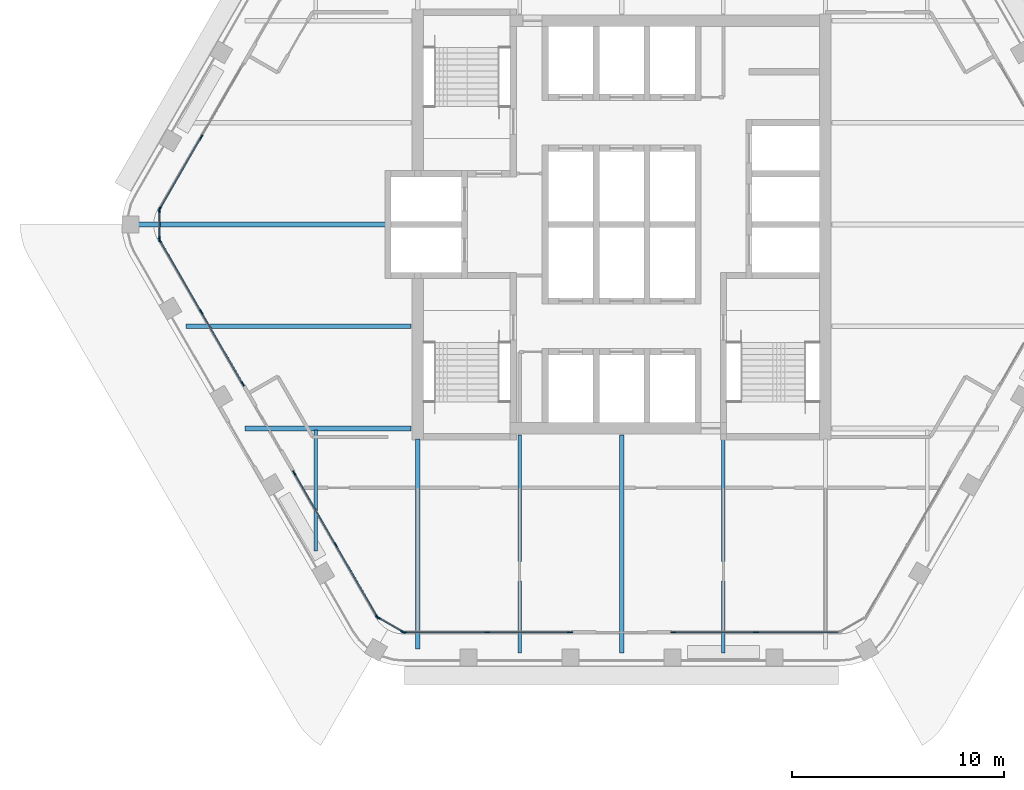
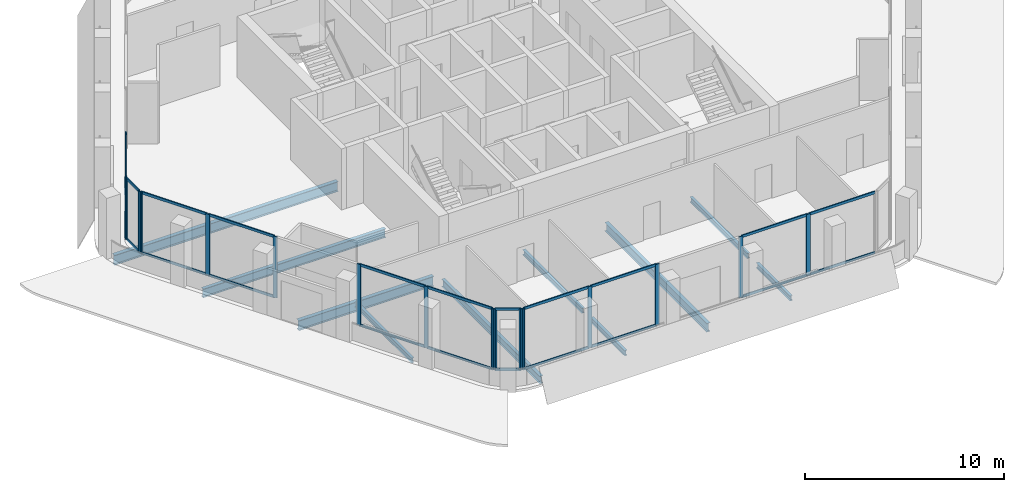
# One storey, part 2 of 14: 39 members, 10 beams, 7 elements without a shape of their own.
"""IFC4 building model written with IfcOpenShell, lengths in metres."""

from ifc_helpers import new_model, si_unit, direction, frame, origin, origin_2d, place, context, subcontext, project, spatial, rectangle, i_section, extrude, material, material_profile, profile_set, type_object, element, aggregate, save


model = new_model("IFC4")

# Units and contexts
model_context = context("Model", 3, precision=1e-05, world=origin(), true_north=direction((0.0, 1.0)))
body_context = subcontext(model_context, "Body", "Model", "MODEL_VIEW")
ifc_project = project(units=[si_unit("LENGTHUNIT", "METRE"), si_unit("AREAUNIT", "SQUARE_METRE"), si_unit("VOLUMEUNIT", "CUBIC_METRE"), si_unit("PLANEANGLEUNIT", "RADIAN"), si_unit("MASSUNIT", "GRAM", prefix="KILO")], contexts=[model_context])

# Site, building, storey
site_placement = place(None, origin())
site = spatial("IfcSite", under=ifc_project, at=site_placement, CompositionType="ELEMENT")
building_placement = place(site_placement, origin())
building = spatial("IfcBuilding", under=site, at=building_placement, Name="Kolab Exchange Tower", CompositionType="ELEMENT")
storey_placement = place(building_placement, frame((0.0, 0.0, 222.800048828125)))
storey = spatial("IfcBuildingStorey", under=building, at=storey_placement, Name="L48", CompositionType="ELEMENT", Elevation=222.800048828125)

# Beams
ifc_material_1 = material(Name="Steel S355", Category="steel")
ifc_material_profile_1 = material_profile(ifc_material_1, i_section(OverallWidth=0.1650390625, OverallDepth=0.31005859375, WebThickness=0.005859375, FlangeThickness=0.009765625, at=origin_2d()), Name="W310X39")
ifc_profile_set_1 = profile_set([ifc_material_profile_1], Name="Steel S355")
beam_type_1 = type_object("IfcBeamType", Name="FLOOR BEAM W310X39", PredefinedType="BEAM", material=ifc_profile_set_1)
beam_1_placement = place(storey_placement, frame((-14.39990234375, -15.36767578125, -0.304931640625), z_axis=(0.0, 1.0, 0.0), x_axis=(-1.0, 0.0, 0.0)))
element("IfcBeam", 1, at=beam_1_placement, inside=storey, type_object=beam_type_1, Name="beam/L48/fr/003", PredefinedType="BEAM", context=body_context, shape_type="SweptSolid", body=[
    extrude(i_section(OverallWidth=0.1650390625, OverallDepth=0.31005859375, WebThickness=0.005859375, FlangeThickness=0.009765625, at=origin_2d()), origin(), (0.0, 0.0, 1.0), 5.693603515625),
])
beam_2_placement = place(storey_placement, frame((-4.800048828125, -20.174560546875, -0.304931640625), z_axis=(0.0, 1.0, 0.0), x_axis=(-1.0, 0.0, 0.0)))
element("IfcBeam", 2, at=beam_2_placement, inside=storey, type_object=beam_type_1, Name="beam/L48/fr/007", PredefinedType="BEAM", context=body_context, shape_type="SweptSolid", body=[
    extrude(i_section(OverallWidth=0.1650390625, OverallDepth=0.31005859375, WebThickness=0.005859375, FlangeThickness=0.009765625, at=origin_2d()), origin(), (0.0, 0.0, 1.0), 3.395751953125),
])
beam_3_placement = place(storey_placement, frame((-4.800048828125, -15.876708984375, -0.304931640625), z_axis=(0.0, 1.0, 0.0), x_axis=(-1.0, 0.0, 0.0)))
element("IfcBeam", 3, at=beam_3_placement, inside=storey, type_object=beam_type_1, Name="beam/L48/fr/008", PredefinedType="BEAM", context=body_context, shape_type="SweptSolid", body=[
    extrude(i_section(OverallWidth=0.1650390625, OverallDepth=0.31005859375, WebThickness=0.005859375, FlangeThickness=0.009765625, at=origin_2d()), origin(), (0.0, 0.0, 1.0), 5.966796875),
])
beam_4_placement = place(storey_placement, frame((4.800048828125, -20.174560546875, -0.304931640625), z_axis=(0.0, 1.0, 0.0), x_axis=(-1.0, 0.0, 0.0)))
element("IfcBeam", 4, at=beam_4_placement, inside=storey, type_object=beam_type_1, Name="beam/L48/fr/013", PredefinedType="BEAM", context=body_context, shape_type="SweptSolid", body=[
    extrude(i_section(OverallWidth=0.1650390625, OverallDepth=0.31005859375, WebThickness=0.005859375, FlangeThickness=0.009765625, at=origin_2d()), origin(), (0.0, 0.0, 1.0), 3.395751953125),
])
beam_5_placement = place(storey_placement, frame((4.800048828125, -15.876708984375, -0.304931640625), z_axis=(0.0, 1.0, 0.0), x_axis=(-1.0, 0.0, 0.0)))
element("IfcBeam", 5, at=beam_5_placement, inside=storey, type_object=beam_type_1, Name="beam/L48/fr/014", PredefinedType="BEAM", context=body_context, shape_type="SweptSolid", body=[
    extrude(i_section(OverallWidth=0.1650390625, OverallDepth=0.31005859375, WebThickness=0.005859375, FlangeThickness=0.009765625, at=origin_2d()), origin(), (0.0, 0.0, 1.0), 5.7666015625),
])
ifc_material_profile_2 = material_profile(ifc_material_1, i_section(OverallWidth=0.18994140625, OverallDepth=0.45703125, WebThickness=0.009033203125, FlangeThickness=0.014404296875, at=origin_2d()), Name="W460X74")
ifc_profile_set_2 = profile_set([ifc_material_profile_2], Name="Steel S355")
beam_type_2 = type_object("IfcBeamType", Name="FLOOR BEAM W460X74", PredefinedType="BEAM", material=ifc_profile_set_2)
beam_6_placement = place(storey_placement, frame((-9.60009765625, -19.982421875, -0.378662109375), z_axis=(0.0, 1.0, 0.0), x_axis=(-1.0, 0.0, 0.0)))
element("IfcBeam", 6, at=beam_6_placement, inside=storey, type_object=beam_type_2, Name="beam/L48/fr/005", PredefinedType="BEAM", context=body_context, shape_type="SweptSolid", body=[
    extrude(i_section(OverallWidth=0.18994140625, OverallDepth=0.45703125, WebThickness=0.009033203125, FlangeThickness=0.014404296875, at=origin_2d()), origin(), (0.0, 0.0, 1.0), 9.872314453125),
])
ifc_material_profile_3 = material_profile(ifc_material_1, i_section(OverallWidth=0.208984375, OverallDepth=0.532958984375, WebThickness=0.01025390625, FlangeThickness=0.015625, at=origin_2d()), Name="W530X92")
ifc_profile_set_3 = profile_set([ifc_material_profile_3], Name="Steel S355")
beam_type_3 = type_object("IfcBeamType", Name="FLOOR BEAM W530X92", PredefinedType="BEAM", material=ifc_profile_set_3)
beam_7_placement = place(storey_placement, frame((-20.518310546875, -4.800048828125, -0.41650390625), z_axis=(1.0, 0.0, 0.0), x_axis=(0.0, 1.0, 0.0)))
element("IfcBeam", 7, at=beam_7_placement, inside=storey, type_object=beam_type_3, Name="beam/L48/fr/001", PredefinedType="BEAM", context=body_context, shape_type="SweptSolid", body=[
    extrude(i_section(OverallWidth=0.208984375, OverallDepth=0.532958984375, WebThickness=0.01025390625, FlangeThickness=0.015625, at=origin_2d()), origin(), (0.0, 0.0, 1.0), 10.6083984375),
])
beam_8_placement = place(storey_placement, frame((0.0, -20.174560546875, -0.41650390625), z_axis=(0.0, 1.0, 0.0), x_axis=(-1.0, 0.0, 0.0)))
element("IfcBeam", 8, at=beam_8_placement, inside=storey, type_object=beam_type_3, Name="beam/L48/fr/011", PredefinedType="BEAM", context=body_context, shape_type="SweptSolid", body=[
    extrude(i_section(OverallWidth=0.208984375, OverallDepth=0.532958984375, WebThickness=0.01025390625, FlangeThickness=0.015625, at=origin_2d()), origin(), (0.0, 0.0, 1.0), 10.2646484375),
])
ifc_material_profile_4 = material_profile(ifc_material_1, i_section(OverallWidth=0.22802734375, OverallDepth=0.60791015625, WebThickness=0.01123046875, FlangeThickness=0.017333984375, at=origin_2d()), Name="W610X113")
ifc_profile_set_4 = profile_set([ifc_material_profile_4], Name="Steel S355")
beam_type_4 = type_object("IfcBeamType", Name="FLOOR BEAM W610X113", PredefinedType="BEAM", material=ifc_profile_set_4)
beam_9_placement = place(storey_placement, frame((-22.899169921875, 0.0, -0.4541015625), z_axis=(1.0, 0.0, 0.0), x_axis=(0.0, 1.0, 0.0)))
element("IfcBeam", 9, at=beam_9_placement, inside=storey, type_object=beam_type_4, Name="beam/L48/fr/000", PredefinedType="BEAM", context=body_context, shape_type="SweptSolid", body=[
    extrude(i_section(OverallWidth=0.22802734375, OverallDepth=0.60791015625, WebThickness=0.01123046875, FlangeThickness=0.017333984375, at=origin_2d()), origin(), (0.0, 0.0, 1.0), 12.9892578125),
])
ifc_material_profile_5 = material_profile(ifc_material_1, i_section(OverallWidth=0.22802734375, OverallDepth=0.60791015625, WebThickness=0.01123046875, FlangeThickness=0.017333984375, at=origin_2d()), Name="W610X113")
ifc_profile_set_5 = profile_set([ifc_material_profile_5], Name="Steel S355")
beam_type_5 = type_object("IfcBeamType", Name="FLOOR GIRDER W610X113", PredefinedType="BEAM", material=ifc_profile_set_5)
beam_10_placement = place(storey_placement, frame((-17.746826171875, -9.60009765625, -0.4541015625), z_axis=(1.0, 0.0, 0.0), x_axis=(0.0, 1.0, 0.0)))
element("IfcBeam", 10, at=beam_10_placement, inside=storey, type_object=beam_type_5, Name="beam/L48/gd/000", PredefinedType="BEAM", context=body_context, shape_type="SweptSolid", body=[
    extrude(i_section(OverallWidth=0.22802734375, OverallDepth=0.60791015625, WebThickness=0.01123046875, FlangeThickness=0.017333984375, at=origin_2d()), origin(), (0.0, 0.0, 1.0), 7.8369140625),
])

# Curtain wall, members
ifc_material_2 = material(Name="Aluminium EN AW-6063 T6", Category="aluminium")
curtain_wall_type = type_object("IfcCurtainWallType", Name="UNITISED HIGH ZONE CURTAIN WALL", PredefinedType="NOTDEFINED", material=ifc_material_2)
curtain_wall_1_placement = place(storey_placement, origin())
curtain_wall_1 = element("IfcCurtainWall", 11, at=curtain_wall_1_placement, inside=storey, type_object=curtain_wall_type, Name="cw/L48/F4-1", PredefinedType="NOTDEFINED")
ifc_material_profile_6 = material_profile(ifc_material_2, rectangle(XDim=0.06005859375, YDim=0.239990234375, at=origin_2d()), Name="RECT 60X240")
ifc_profile_set_6 = profile_set([ifc_material_profile_6], Name="Aluminium EN AW-6063 T6")
member_type_1 = type_object("IfcMemberType", Name="UNITISED HIGH ZONE MULLION 60 X 240", PredefinedType="MULLION", material=ifc_profile_set_6)
member_1_placement = place(storey_placement, frame((6.333984375, -19.20458984375, 0.0), z_axis=(0.0, 0.0, 1.0), x_axis=(0.0, -1.0, 0.0)))
member_1 = element("IfcMember", 12, at=member_1_placement, type_object=member_type_1, Name="CW4 mullion 2", PredefinedType="MULLION", context=body_context, shape_type="SweptSolid", body=[
    extrude(rectangle(XDim=0.06005859375, YDim=0.239990234375, at=origin_2d()), origin(), (0.0, 0.0, 1.0), 3.75),
])
member_2_placement = place(storey_placement, frame((2.429931640625, -19.20458984375, 0.0), z_axis=(0.0, 0.0, 1.0), x_axis=(0.0, -1.0, 0.0)))
member_2 = element("IfcMember", 13, at=member_2_placement, type_object=member_type_1, Name="CW4 mullion 3", PredefinedType="MULLION", context=body_context, shape_type="SweptSolid", body=[
    extrude(rectangle(XDim=0.06005859375, YDim=0.239990234375, at=origin_2d()), origin(), (0.0, 0.0, 1.0), 3.75),
])

curtain_wall_2_placement = place(storey_placement, origin())
curtain_wall_2 = element("IfcCurtainWall", 14, at=curtain_wall_2_placement, inside=storey, type_object=curtain_wall_type, Name="cw/L48/F4-2", PredefinedType="NOTDEFINED")
member_3_placement = place(storey_placement, frame((-2.429931640625, -19.20458984375, 0.0), z_axis=(0.0, 0.0, 1.0), x_axis=(0.0, -1.0, 0.0)))
member_3 = element("IfcMember", 15, at=member_3_placement, type_object=member_type_1, Name="CW4 mullion 1", PredefinedType="MULLION", context=body_context, shape_type="SweptSolid", body=[
    extrude(rectangle(XDim=0.06005859375, YDim=0.239990234375, at=origin_2d()), origin(), (0.0, 0.0, 1.0), 3.75),
])
member_4_placement = place(storey_placement, frame((-6.333984375, -19.20458984375, 0.0), z_axis=(0.0, 0.0, 1.0), x_axis=(0.0, -1.0, 0.0)))
member_4 = element("IfcMember", 16, at=member_4_placement, type_object=member_type_1, Name="CW4 mullion 2", PredefinedType="MULLION", context=body_context, shape_type="SweptSolid", body=[
    extrude(rectangle(XDim=0.06005859375, YDim=0.239990234375, at=origin_2d()), origin(), (0.0, 0.0, 1.0), 3.75),
])
member_5_placement = place(storey_placement, frame((-10.238037109375, -19.20458984375, 0.0), z_axis=(0.0, 0.0, 1.0), x_axis=(0.0, -1.0, 0.0)))
member_5 = element("IfcMember", 17, at=member_5_placement, type_object=member_type_1, Name="CW4 mullion 3", PredefinedType="MULLION", context=body_context, shape_type="SweptSolid", body=[
    extrude(rectangle(XDim=0.06005859375, YDim=0.239990234375, at=origin_2d()), origin(), (0.0, 0.0, 1.0), 3.75),
])

curtain_wall_3_placement = place(storey_placement, origin())
curtain_wall_3 = element("IfcCurtainWall", 18, at=curtain_wall_3_placement, inside=storey, type_object=curtain_wall_type, Name="cw/L48/F5-1", PredefinedType="NOTDEFINED")
member_6_placement = place(storey_placement, frame((-11.5126953125, -18.46875, 0.0), z_axis=(0.0, 0.0, 1.0), x_axis=(-0.866025385493, -0.500000031681, 0.0)))
member_6 = element("IfcMember", 19, at=member_6_placement, type_object=member_type_1, Name="CW4 mullion 1", PredefinedType="MULLION", context=body_context, shape_type="SweptSolid", body=[
    extrude(rectangle(XDim=0.06005859375, YDim=0.239990234375, at=origin_2d()), origin(), (0.0, 0.0, 1.0), 3.75),
])
member_7_placement = place(storey_placement, frame((-13.464599609375, -15.087646484375, 0.0), z_axis=(0.0, 0.0, 1.0), x_axis=(-0.866025385493, -0.500000031681, 0.0)))
member_7 = element("IfcMember", 20, at=member_7_placement, type_object=member_type_1, Name="CW4 mullion 2", PredefinedType="MULLION", context=body_context, shape_type="SweptSolid", body=[
    extrude(rectangle(XDim=0.06005859375, YDim=0.239990234375, at=origin_2d()), origin(), (0.0, 0.0, 1.0), 3.75),
])
member_8_placement = place(storey_placement, frame((-15.416748046875, -11.706787109375, 0.0), z_axis=(0.0, 0.0, 1.0), x_axis=(-0.866025385493, -0.500000031681, 0.0)))
member_8 = element("IfcMember", 21, at=member_8_placement, type_object=member_type_1, Name="CW4 mullion 3", PredefinedType="MULLION", context=body_context, shape_type="SweptSolid", body=[
    extrude(rectangle(XDim=0.06005859375, YDim=0.239990234375, at=origin_2d()), origin(), (0.0, 0.0, 1.0), 3.75),
])

curtain_wall_4_placement = place(storey_placement, origin())
curtain_wall_4 = element("IfcCurtainWall", 22, at=curtain_wall_4_placement, inside=storey, type_object=curtain_wall_type, Name="cw/L48/F5-2", PredefinedType="NOTDEFINED")
member_9_placement = place(storey_placement, frame((-17.8466796875, -7.497802734375, 0.0), z_axis=(0.0, 0.0, 1.0), x_axis=(-0.866025440524, -0.499999936366, 0.0)))
member_9 = element("IfcMember", 23, at=member_9_placement, type_object=member_type_1, Name="CW4 mullion 1", PredefinedType="MULLION", context=body_context, shape_type="SweptSolid", body=[
    extrude(rectangle(XDim=0.06005859375, YDim=0.239990234375, at=origin_2d()), origin(), (0.0, 0.0, 1.0), 3.75),
])
member_10_placement = place(storey_placement, frame((-19.798583984375, -4.116943359375, 0.0), z_axis=(0.0, 0.0, 1.0), x_axis=(-0.866025440524, -0.499999936366, 0.0)))
member_10 = element("IfcMember", 24, at=member_10_placement, type_object=member_type_1, Name="CW4 mullion 2", PredefinedType="MULLION", context=body_context, shape_type="SweptSolid", body=[
    extrude(rectangle(XDim=0.06005859375, YDim=0.239990234375, at=origin_2d()), origin(), (0.0, 0.0, 1.0), 3.75),
])
member_11_placement = place(storey_placement, frame((-21.750732421875, -0.736083984375, 0.0), z_axis=(0.0, 0.0, 1.0), x_axis=(-0.866025440524, -0.499999936366, 0.0)))
member_11 = element("IfcMember", 25, at=member_11_placement, type_object=member_type_1, Name="CW4 mullion 3", PredefinedType="MULLION", context=body_context, shape_type="SweptSolid", body=[
    extrude(rectangle(XDim=0.06005859375, YDim=0.239990234375, at=origin_2d()), origin(), (0.0, 0.0, 1.0), 3.75),
])

curtain_wall_5_placement = place(storey_placement, origin())
curtain_wall_5 = element("IfcCurtainWall", 26, at=curtain_wall_5_placement, inside=storey, type_object=curtain_wall_type, Name="cw/L48/F6-1", PredefinedType="NOTDEFINED")
member_12_placement = place(storey_placement, frame((-21.750732421875, 0.736083984375, 0.0), z_axis=(0.0, 0.0, 1.0), x_axis=(-0.866025440524, 0.499999936366, 0.0)))
member_12 = element("IfcMember", 27, at=member_12_placement, type_object=member_type_1, Name="CW4 mullion 1", PredefinedType="MULLION", context=body_context, shape_type="SweptSolid", body=[
    extrude(rectangle(XDim=0.06005859375, YDim=0.239990234375, at=origin_2d()), origin(), (0.0, 0.0, 1.0), 3.75),
])
member_13_placement = place(storey_placement, frame((-19.798583984375, 4.116943359375, 0.0), z_axis=(0.0, 0.0, 1.0), x_axis=(-0.866025440524, 0.499999936366, 0.0)))
member_13 = element("IfcMember", 28, at=member_13_placement, type_object=member_type_1, Name="CW4 mullion 2", PredefinedType="MULLION", context=body_context, shape_type="SweptSolid", body=[
    extrude(rectangle(XDim=0.06005859375, YDim=0.239990234375, at=origin_2d()), origin(), (0.0, 0.0, 1.0), 3.75),
])

curtain_wall_6_placement = place(storey_placement, origin())
curtain_wall_6 = element("IfcCurtainWall", 29, at=curtain_wall_6_placement, inside=storey, type_object=curtain_wall_type, Name="cw/L48/F4F5-corner", PredefinedType="NOTDEFINED")
member_14_placement = place(storey_placement, frame((-10.2939453125, -19.189697265625, 0.0), z_axis=(0.0, 0.0, 1.0), x_axis=(-0.50000002237, -0.866025390869, 0.0)))
member_14 = element("IfcMember", 30, at=member_14_placement, type_object=member_type_1, Name="CW4 mullion 1", PredefinedType="MULLION", context=body_context, shape_type="SweptSolid", body=[
    extrude(rectangle(XDim=0.06005859375, YDim=0.239990234375, at=origin_2d()), origin(), (0.0, 0.0, 1.0), 3.75),
])
member_15_placement = place(storey_placement, frame((-11.4716796875, -18.509521484375, 0.0), z_axis=(0.0, 0.0, 1.0), x_axis=(-0.50000002237, -0.866025390869, 0.0)))
member_15 = element("IfcMember", 31, at=member_15_placement, type_object=member_type_1, Name="CW4 mullion 2", PredefinedType="MULLION", context=body_context, shape_type="SweptSolid", body=[
    extrude(rectangle(XDim=0.06005859375, YDim=0.239990234375, at=origin_2d()), origin(), (0.0, 0.0, 1.0), 3.75),
])

curtain_wall_7_placement = place(storey_placement, origin())
curtain_wall_7 = element("IfcCurtainWall", 32, at=curtain_wall_7_placement, inside=storey, type_object=curtain_wall_type, Name="cw/L48/F5F6-corner", PredefinedType="NOTDEFINED")
member_16_placement = place(storey_placement, frame((-21.765625, -0.679931640625, 0.0), z_axis=(0.0, 0.0, 1.0), x_axis=(-1.0, 0.0, 0.0)))
member_16 = element("IfcMember", 33, at=member_16_placement, type_object=member_type_1, Name="CW4 mullion 1", PredefinedType="MULLION", context=body_context, shape_type="SweptSolid", body=[
    extrude(rectangle(XDim=0.06005859375, YDim=0.239990234375, at=origin_2d()), origin(), (0.0, 0.0, 1.0), 3.75),
])
member_17_placement = place(storey_placement, frame((-21.765625, 0.679931640625, 0.0), z_axis=(0.0, 0.0, 1.0), x_axis=(-1.0, 0.0, 0.0)))
member_17 = element("IfcMember", 34, at=member_17_placement, type_object=member_type_1, Name="CW4 mullion 2", PredefinedType="MULLION", context=body_context, shape_type="SweptSolid", body=[
    extrude(rectangle(XDim=0.06005859375, YDim=0.239990234375, at=origin_2d()), origin(), (0.0, 0.0, 1.0), 3.75),
])

# Member
ifc_material_profile_7 = material_profile(ifc_material_2, rectangle(XDim=0.06005859375, YDim=0.159912109375, at=origin_2d()), Name="RECT 60X160")
ifc_profile_set_7 = profile_set([ifc_material_profile_7], Name="Aluminium EN AW-6063 T6")
member_type_2 = type_object("IfcMemberType", Name="UNITISED HIGH ZONE TRANSOM 60 X 160", PredefinedType="USERDEFINED", material=ifc_profile_set_7)
member_18_placement = place(storey_placement, frame((10.2080078125, -19.20458984375, 0.030029296875), z_axis=(-1.0, 0.0, 0.0), x_axis=(0.0, -1.0, 0.0)))
member_18 = element("IfcMember", 35, at=member_18_placement, type_object=member_type_2, Name="CW4 transom 1.1", ObjectType="TRANSOM", PredefinedType="USERDEFINED", context=body_context, shape_type="SweptSolid", body=[
    extrude(rectangle(XDim=0.06005859375, YDim=0.159912109375, at=origin_2d()), origin(), (0.0, 0.0, 1.0), 3.843994140625),
])

member_19_placement = place(storey_placement, frame((10.2080078125, -19.20458984375, 3.719970703125), z_axis=(-1.0, 0.0, 0.0), x_axis=(0.0, -1.0, 0.0)))
member_19 = element("IfcMember", 36, at=member_19_placement, type_object=member_type_2, Name="CW4 transom 1.2", ObjectType="TRANSOM", PredefinedType="USERDEFINED", context=body_context, shape_type="SweptSolid", body=[
    extrude(rectangle(XDim=0.06005859375, YDim=0.159912109375, at=origin_2d()), origin(), (0.0, 0.0, 1.0), 3.843994140625),
])

member_20_placement = place(storey_placement, frame((6.303955078125, -19.20458984375, 0.030029296875), z_axis=(-1.0, 0.0, 0.0), x_axis=(0.0, -1.0, 0.0)))
member_20 = element("IfcMember", 37, at=member_20_placement, type_object=member_type_2, Name="CW4 transom 2.1", ObjectType="TRANSOM", PredefinedType="USERDEFINED", context=body_context, shape_type="SweptSolid", body=[
    extrude(rectangle(XDim=0.06005859375, YDim=0.159912109375, at=origin_2d()), origin(), (0.0, 0.0, 1.0), 3.843994140625),
])

member_21_placement = place(storey_placement, frame((6.303955078125, -19.20458984375, 3.719970703125), z_axis=(-1.0, 0.0, 0.0), x_axis=(0.0, -1.0, 0.0)))
member_21 = element("IfcMember", 38, at=member_21_placement, type_object=member_type_2, Name="CW4 transom 2.2", ObjectType="TRANSOM", PredefinedType="USERDEFINED", context=body_context, shape_type="SweptSolid", body=[
    extrude(rectangle(XDim=0.06005859375, YDim=0.159912109375, at=origin_2d()), origin(), (0.0, 0.0, 1.0), 3.843994140625),
])

aggregate(curtain_wall_1, [member_1, member_2, member_18, member_19, member_20, member_21])

member_22_placement = place(storey_placement, frame((-2.4599609375, -19.20458984375, 0.030029296875), z_axis=(-1.0, 0.0, 0.0), x_axis=(0.0, -1.0, 0.0)))
member_22 = element("IfcMember", 39, at=member_22_placement, type_object=member_type_2, Name="CW4 transom 1.1", ObjectType="TRANSOM", PredefinedType="USERDEFINED", context=body_context, shape_type="SweptSolid", body=[
    extrude(rectangle(XDim=0.06005859375, YDim=0.159912109375, at=origin_2d()), origin(), (0.0, 0.0, 1.0), 3.843994140625),
])

member_23_placement = place(storey_placement, frame((-2.4599609375, -19.20458984375, 3.719970703125), z_axis=(-1.0, 0.0, 0.0), x_axis=(0.0, -1.0, 0.0)))
member_23 = element("IfcMember", 40, at=member_23_placement, type_object=member_type_2, Name="CW4 transom 1.2", ObjectType="TRANSOM", PredefinedType="USERDEFINED", context=body_context, shape_type="SweptSolid", body=[
    extrude(rectangle(XDim=0.06005859375, YDim=0.159912109375, at=origin_2d()), origin(), (0.0, 0.0, 1.0), 3.843994140625),
])

member_24_placement = place(storey_placement, frame((-6.364013671875, -19.20458984375, 0.030029296875), z_axis=(-1.0, 0.0, 0.0), x_axis=(0.0, -1.0, 0.0)))
member_24 = element("IfcMember", 41, at=member_24_placement, type_object=member_type_2, Name="CW4 transom 2.1", ObjectType="TRANSOM", PredefinedType="USERDEFINED", context=body_context, shape_type="SweptSolid", body=[
    extrude(rectangle(XDim=0.06005859375, YDim=0.159912109375, at=origin_2d()), origin(), (0.0, 0.0, 1.0), 3.843994140625),
])

member_25_placement = place(storey_placement, frame((-6.364013671875, -19.20458984375, 3.719970703125), z_axis=(-1.0, 0.0, 0.0), x_axis=(0.0, -1.0, 0.0)))
member_25 = element("IfcMember", 42, at=member_25_placement, type_object=member_type_2, Name="CW4 transom 2.2", ObjectType="TRANSOM", PredefinedType="USERDEFINED", context=body_context, shape_type="SweptSolid", body=[
    extrude(rectangle(XDim=0.06005859375, YDim=0.159912109375, at=origin_2d()), origin(), (0.0, 0.0, 1.0), 3.843994140625),
])

aggregate(curtain_wall_2, [member_3, member_4, member_5, member_22, member_23, member_24, member_25])

member_26_placement = place(storey_placement, frame((-11.527587890625, -18.442626953125, 0.030029296875), z_axis=(-0.500039492609, 0.866002601515, 0.0), x_axis=(-0.866002601515, -0.500039492609, 0.0)))
member_26 = element("IfcMember", 43, at=member_26_placement, type_object=member_type_2, Name="CW4 transom 1.1", ObjectType="TRANSOM", PredefinedType="USERDEFINED", context=body_context, shape_type="SweptSolid", body=[
    extrude(rectangle(XDim=0.06005859375, YDim=0.159912109375, at=origin_2d()), origin(), (0.0, 0.0, 1.0), 3.843994140625),
])

member_27_placement = place(storey_placement, frame((-11.527587890625, -18.442626953125, 3.719970703125), z_axis=(-0.500039492609, 0.866002601515, 0.0), x_axis=(-0.866002601515, -0.500039492609, 0.0)))
member_27 = element("IfcMember", 44, at=member_27_placement, type_object=member_type_2, Name="CW4 transom 1.2", ObjectType="TRANSOM", PredefinedType="USERDEFINED", context=body_context, shape_type="SweptSolid", body=[
    extrude(rectangle(XDim=0.06005859375, YDim=0.159912109375, at=origin_2d()), origin(), (0.0, 0.0, 1.0), 3.843994140625),
])

member_28_placement = place(storey_placement, frame((-13.479736328125, -15.061767578125, 0.030029296875), z_axis=(-0.499964356602, 0.866045981532, 0.0), x_axis=(-0.866045981532, -0.499964356602, 0.0)))
member_28 = element("IfcMember", 45, at=member_28_placement, type_object=member_type_2, Name="CW4 transom 2.1", ObjectType="TRANSOM", PredefinedType="USERDEFINED", context=body_context, shape_type="SweptSolid", body=[
    extrude(rectangle(XDim=0.06005859375, YDim=0.159912109375, at=origin_2d()), origin(), (0.0, 0.0, 1.0), 3.843994140625),
])

member_29_placement = place(storey_placement, frame((-13.479736328125, -15.061767578125, 3.719970703125), z_axis=(-0.499964356602, 0.866045981532, 0.0), x_axis=(-0.866045981532, -0.499964356602, 0.0)))
member_29 = element("IfcMember", 46, at=member_29_placement, type_object=member_type_2, Name="CW4 transom 2.2", ObjectType="TRANSOM", PredefinedType="USERDEFINED", context=body_context, shape_type="SweptSolid", body=[
    extrude(rectangle(XDim=0.06005859375, YDim=0.159912109375, at=origin_2d()), origin(), (0.0, 0.0, 1.0), 3.843994140625),
])

aggregate(curtain_wall_3, [member_6, member_7, member_8, member_26, member_27, member_28, member_29])

member_30_placement = place(storey_placement, frame((-17.861572265625, -7.471923828125, 0.030029296875), z_axis=(-0.500011990396, 0.866018481016, 0.0), x_axis=(-0.866018481016, -0.500011990396, 0.0)))
member_30 = element("IfcMember", 47, at=member_30_placement, type_object=member_type_2, Name="CW4 transom 1.1", ObjectType="TRANSOM", PredefinedType="USERDEFINED", context=body_context, shape_type="SweptSolid", body=[
    extrude(rectangle(XDim=0.06005859375, YDim=0.159912109375, at=origin_2d()), origin(), (0.0, 0.0, 1.0), 3.84423828125),
])

member_31_placement = place(storey_placement, frame((-17.861572265625, -7.471923828125, 3.719970703125), z_axis=(-0.500011990396, 0.866018481016, 0.0), x_axis=(-0.866018481016, -0.500011990396, 0.0)))
member_31 = element("IfcMember", 48, at=member_31_placement, type_object=member_type_2, Name="CW4 transom 1.2", ObjectType="TRANSOM", PredefinedType="USERDEFINED", context=body_context, shape_type="SweptSolid", body=[
    extrude(rectangle(XDim=0.06005859375, YDim=0.159912109375, at=origin_2d()), origin(), (0.0, 0.0, 1.0), 3.84423828125),
])

member_32_placement = place(storey_placement, frame((-19.813720703125, -4.0908203125, 0.030029296875), z_axis=(-0.499991857942, 0.866030104553, 0.0), x_axis=(-0.866030104553, -0.499991857942, 0.0)))
member_32 = element("IfcMember", 49, at=member_32_placement, type_object=member_type_2, Name="CW4 transom 2.1", ObjectType="TRANSOM", PredefinedType="USERDEFINED", context=body_context, shape_type="SweptSolid", body=[
    extrude(rectangle(XDim=0.06005859375, YDim=0.159912109375, at=origin_2d()), origin(), (0.0, 0.0, 1.0), 3.84375),
])

member_33_placement = place(storey_placement, frame((-19.813720703125, -4.0908203125, 3.719970703125), z_axis=(-0.499991857942, 0.866030104553, 0.0), x_axis=(-0.866030104553, -0.499991857942, 0.0)))
member_33 = element("IfcMember", 50, at=member_33_placement, type_object=member_type_2, Name="CW4 transom 2.2", ObjectType="TRANSOM", PredefinedType="USERDEFINED", context=body_context, shape_type="SweptSolid", body=[
    extrude(rectangle(XDim=0.06005859375, YDim=0.159912109375, at=origin_2d()), origin(), (0.0, 0.0, 1.0), 3.84375),
])

aggregate(curtain_wall_4, [member_9, member_10, member_11, member_30, member_31, member_32, member_33])

member_34_placement = place(storey_placement, frame((-21.735595703125, 0.761962890625, 0.030029296875), z_axis=(0.499991857942, 0.866030104553, 0.0), x_axis=(-0.866030104553, 0.499991857942, 0.0)))
member_34 = element("IfcMember", 51, at=member_34_placement, type_object=member_type_2, Name="CW4 transom 1.1", ObjectType="TRANSOM", PredefinedType="USERDEFINED", context=body_context, shape_type="SweptSolid", body=[
    extrude(rectangle(XDim=0.06005859375, YDim=0.159912109375, at=origin_2d()), origin(), (0.0, 0.0, 1.0), 3.84375),
])

member_35_placement = place(storey_placement, frame((-21.735595703125, 0.761962890625, 3.719970703125), z_axis=(0.499991857942, 0.866030104553, 0.0), x_axis=(-0.866030104553, 0.499991857942, 0.0)))
member_35 = element("IfcMember", 52, at=member_35_placement, type_object=member_type_2, Name="CW4 transom 1.2", ObjectType="TRANSOM", PredefinedType="USERDEFINED", context=body_context, shape_type="SweptSolid", body=[
    extrude(rectangle(XDim=0.06005859375, YDim=0.159912109375, at=origin_2d()), origin(), (0.0, 0.0, 1.0), 3.84375),
])

aggregate(curtain_wall_5, [member_12, member_13, member_34, member_35])

member_36_placement = place(storey_placement, frame((-10.31982421875, -19.174560546875, 0.030029296875), z_axis=(-0.866085525409, 0.49989585183, 0.0), x_axis=(-0.49989585183, -0.866085525409, 0.0)))
member_36 = element("IfcMember", 53, at=member_36_placement, type_object=member_type_2, Name="CW4 transom 1.1", ObjectType="TRANSOM", PredefinedType="USERDEFINED", context=body_context, shape_type="SweptSolid", body=[
    extrude(rectangle(XDim=0.06005859375, YDim=0.159912109375, at=origin_2d()), origin(), (0.0, 0.0, 1.0), 1.300048828125),
])

member_37_placement = place(storey_placement, frame((-10.31982421875, -19.174560546875, 3.719970703125), z_axis=(-0.866085525409, 0.49989585183, 0.0), x_axis=(-0.49989585183, -0.866085525409, 0.0)))
member_37 = element("IfcMember", 54, at=member_37_placement, type_object=member_type_2, Name="CW4 transom 1.2", ObjectType="TRANSOM", PredefinedType="USERDEFINED", context=body_context, shape_type="SweptSolid", body=[
    extrude(rectangle(XDim=0.06005859375, YDim=0.159912109375, at=origin_2d()), origin(), (0.0, 0.0, 1.0), 1.300048828125),
])

aggregate(curtain_wall_6, [member_14, member_15, member_36, member_37])

member_38_placement = place(storey_placement, frame((-21.765625, -0.64990234375, 0.030029296875), z_axis=(0.0, 1.0, 0.0), x_axis=(-1.0, 0.0, 0.0)))
member_38 = element("IfcMember", 55, at=member_38_placement, type_object=member_type_2, Name="CW4 transom 1.1", ObjectType="TRANSOM", PredefinedType="USERDEFINED", context=body_context, shape_type="SweptSolid", body=[
    extrude(rectangle(XDim=0.06005859375, YDim=0.159912109375, at=origin_2d()), origin(), (0.0, 0.0, 1.0), 1.2998046875),
])

member_39_placement = place(storey_placement, frame((-21.765625, -0.64990234375, 3.719970703125), z_axis=(0.0, 1.0, 0.0), x_axis=(-1.0, 0.0, 0.0)))
member_39 = element("IfcMember", 56, at=member_39_placement, type_object=member_type_2, Name="CW4 transom 1.2", ObjectType="TRANSOM", PredefinedType="USERDEFINED", context=body_context, shape_type="SweptSolid", body=[
    extrude(rectangle(XDim=0.06005859375, YDim=0.159912109375, at=origin_2d()), origin(), (0.0, 0.0, 1.0), 1.2998046875),
])

aggregate(curtain_wall_7, [member_16, member_17, member_38, member_39])

save(model, "model.ifc")
